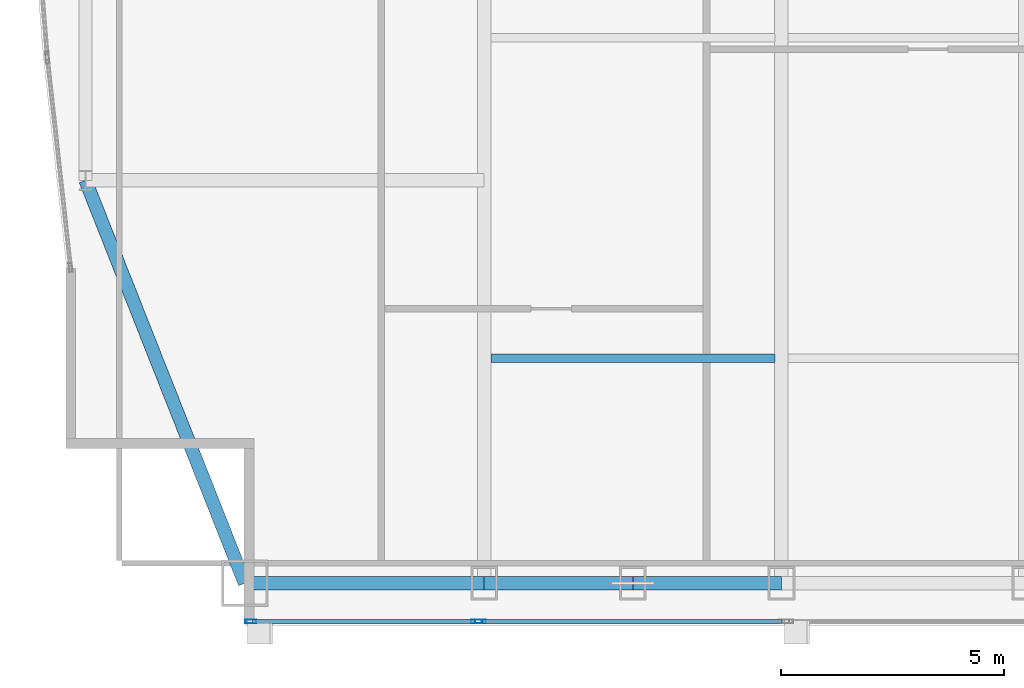
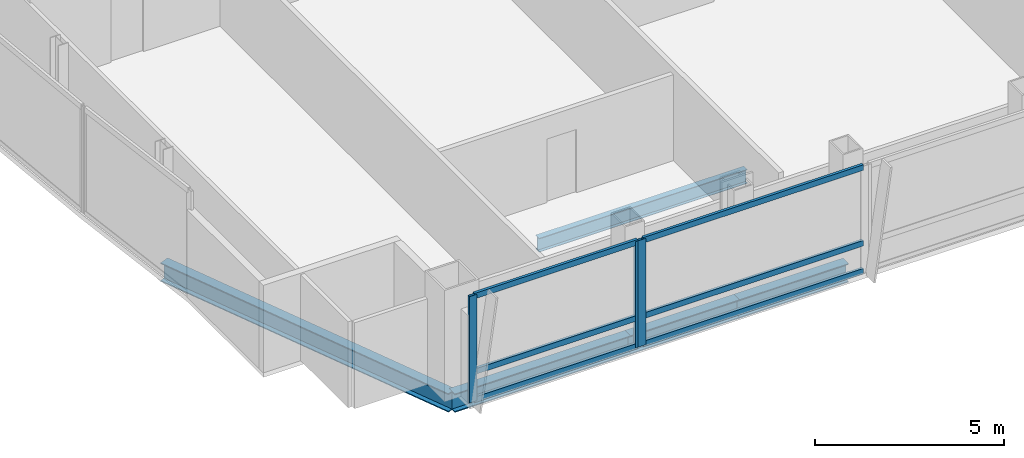
# One storey, part 5 of 29: 9 members, 5 beams, 2 elements without a shape of their own.
"""IFC4 building model written with IfcOpenShell, lengths in metres."""

from ifc_helpers import new_model, si_unit, direction, frame, origin, origin_2d, place, context, subcontext, project, spatial, hollow_rectangle, i_section, extrude, material, material_profile, profile_set, type_object, element, aggregate, save


model = new_model("IFC4")

# Units and contexts
model_context = context("Model", 3, precision=1e-05, world=origin(), true_north=direction((0.0, 1.0)))
body_context = subcontext(model_context, "Body", "Model", "MODEL_VIEW")
ifc_project = project(units=[si_unit("LENGTHUNIT", "METRE"), si_unit("AREAUNIT", "SQUARE_METRE"), si_unit("VOLUMEUNIT", "CUBIC_METRE"), si_unit("PLANEANGLEUNIT", "RADIAN"), si_unit("MASSUNIT", "GRAM", prefix="KILO")], contexts=[model_context])

# Site, building, storey
site_placement = place(None, origin())
site = spatial("IfcSite", under=ifc_project, at=site_placement, CompositionType="ELEMENT")
building_placement = place(site_placement, origin())
building = spatial("IfcBuilding", under=site, at=building_placement, Name="Khoronbel Lancet Exchange", CompositionType="ELEMENT")
storey_placement = place(building_placement, frame((0.0, 0.0, 246.199951171875)))
storey = spatial("IfcBuildingStorey", under=building, at=storey_placement, Name="L63", CompositionType="ELEMENT", Elevation=246.199951171875)

# Beams
ifc_material_1 = material(Name="Steel S355", Category="steel")
ifc_material_profile_1 = material_profile(ifc_material_1, i_section(OverallWidth=0.18994140625, OverallDepth=0.449951171875, WebThickness=0.009521484375, FlangeThickness=0.0146484375, at=origin_2d()), Name="IPE 450")
ifc_profile_set_1 = profile_set([ifc_material_profile_1], Name="Steel S355")
beam_type_1 = type_object("IfcBeamType", Name="BM-BJ4", PredefinedType="JOIST", material=ifc_profile_set_1)
beam_1_placement = place(storey_placement, frame((18.375, 15.199951171875, -0.385009765625), z_axis=(1.0, 0.0, 0.0), x_axis=(0.0, 1.0, 0.0)))
element("IfcBeam", 1, at=beam_1_placement, inside=storey, type_object=beam_type_1, Name="Level L63 secondary composite joist J01", PredefinedType="JOIST", context=body_context, shape_type="SweptSolid", body=[
    extrude(i_section(OverallWidth=0.18994140625, OverallDepth=0.449951171875, WebThickness=0.009521484375, FlangeThickness=0.0146484375, at=origin_2d()), origin(), (0.0, 0.0, 1.0), 6.375),
])
ifc_material_profile_2 = material_profile(ifc_material_1, i_section(OverallWidth=0.300048828125, OverallDepth=0.60009765625, WebThickness=0.015380859375, FlangeThickness=0.030029296875, at=origin_2d()), Name="HEB 600")
ifc_profile_set_2 = profile_set([ifc_material_profile_2], Name="Steel S355")
beam_type_2 = type_object("IfcBeamType", Name="BM-BSP2", PredefinedType="SPANDREL", material=ifc_profile_set_2)
beam_2_placement = place(storey_placement, frame((12.85009765625, 10.14990234375, -0.4599609375), z_axis=(1.0, 0.0, 0.0), x_axis=(0.0, 1.0, 0.0)))
element("IfcBeam", 2, at=beam_2_placement, inside=storey, type_object=beam_type_2, Name="Level L63 perimeter spandrel beam SP01", PredefinedType="SPANDREL", context=body_context, shape_type="SweptSolid", body=[
    extrude(i_section(OverallWidth=0.300048828125, OverallDepth=0.60009765625, WebThickness=0.015380859375, FlangeThickness=0.030029296875, at=origin_2d()), origin(), (0.0, 0.0, 1.0), 5.375),
])
for number, where, z_axis, x_axis, name in (
    (3, (18.22509765625, 10.14990234375, -0.4599609375), (1.0, 0.0, 0.0), (0.0, 1.0, 0.0), "Level L63 perimeter spandrel beam SP02"),
    (4, (21.5625, 10.14990234375, -0.4599609375), (1.0, 0.0, 0.0), (0.0, 1.0, 0.0), "Level L63 perimeter spandrel beam SP03"),
):
    element("IfcBeam", number, at=place(storey_placement, frame(where, z_axis=z_axis, x_axis=x_axis)), inside=storey, type_object=beam_type_2, Name=name, PredefinedType="SPANDREL", context=body_context, shape_type="SweptSolid", body=[
        extrude(i_section(OverallWidth=0.300048828125, OverallDepth=0.60009765625, WebThickness=0.015380859375, FlangeThickness=0.030029296875, at=origin_2d()), origin(), (0.0, 0.0, 1.0), 3.33740234375),
    ])
beam_3_placement = place(storey_placement, frame((9.27001953125, 19.199951171875, -0.4599609375), z_axis=(0.367850095026, -0.92988510451, 0.0), x_axis=(0.92988510451, 0.367850095026, 0.0)))
element("IfcBeam", 5, at=beam_3_placement, inside=storey, type_object=beam_type_2, Name="Level L63 perimeter spandrel beam SP21", PredefinedType="SPANDREL", context=body_context, shape_type="SweptSolid", body=[
    extrude(i_section(OverallWidth=0.300048828125, OverallDepth=0.60009765625, WebThickness=0.015380859375, FlangeThickness=0.030029296875, at=origin_2d()), origin(), (0.0, 0.0, 1.0), 9.732421875),
])

# Curtain wall, members
ifc_material_2 = material(Name="Low-E Solar Control Insulating Glass", Category="glass")
curtain_wall_type = type_object("IfcCurtainWallType", Name="CW-3", PredefinedType="NOTDEFINED", material=ifc_material_2)
curtain_wall_1_placement = place(storey_placement, origin())
curtain_wall_1 = element("IfcCurtainWall", 6, at=curtain_wall_1_placement, inside=storey, type_object=curtain_wall_type, Name="Unitised curtain wall CW-L63-SWV", PredefinedType="NOTDEFINED")
ifc_material_3 = material(Name="Bronze-Anodised Aluminium 6063-T6", Category="aluminium")
ifc_material_profile_3 = material_profile(ifc_material_3, hollow_rectangle(XDim=0.0849609375, YDim=0.239990234375, WallThickness=0.006103515625, at=origin_2d()), Name="ALU MULLION 85x240")
ifc_profile_set_3 = profile_set([ifc_material_profile_3], Name="Bronze-Anodised Aluminium 6063-T6")
member_type_1 = type_object("IfcMemberType", Name="MEM-CWM1", PredefinedType="MULLION", material=ifc_profile_set_3)
member_1_placement = place(storey_placement, frame((12.982421875, 9.2900390625, 0.0), z_axis=(0.0, 0.0, 1.0), x_axis=(0.0, 1.0, 0.0)))
member_1 = element("IfcMember", 7, at=member_1_placement, type_object=member_type_1, Name="CW3 mullion 1", PredefinedType="MULLION", context=body_context, shape_type="SweptSolid", body=[
    extrude(hollow_rectangle(XDim=0.0849609375, YDim=0.239990234375, WallThickness=0.006103515625, at=origin_2d()), origin(), (0.0, 0.0, 1.0), 3.43994140625),
])
member_2_placement = place(storey_placement, frame((18.0576171875, 9.2900390625, 0.0), z_axis=(0.0, 0.0, 1.0), x_axis=(0.0, 1.0, 0.0)))
member_2 = element("IfcMember", 8, at=member_2_placement, type_object=member_type_1, Name="CW3 mullion 2", PredefinedType="MULLION", context=body_context, shape_type="SweptSolid", body=[
    extrude(hollow_rectangle(XDim=0.0849609375, YDim=0.239990234375, WallThickness=0.006103515625, at=origin_2d()), origin(), (0.0, 0.0, 1.0), 3.43994140625),
])

# Curtain wall, member
curtain_wall_2_placement = place(storey_placement, origin())
curtain_wall_2 = element("IfcCurtainWall", 9, at=curtain_wall_2_placement, inside=storey, type_object=curtain_wall_type, Name="Unitised curtain wall CW-L63-SWB", PredefinedType="NOTDEFINED")
member_3_placement = place(storey_placement, frame((18.142578125, 9.2900390625, 0.0), z_axis=(0.0, 0.0, 1.0), x_axis=(0.0, 1.0, 0.0)))
member_3 = element("IfcMember", 10, at=member_3_placement, type_object=member_type_1, Name="CW3 mullion 1", PredefinedType="MULLION", context=body_context, shape_type="SweptSolid", body=[
    extrude(hollow_rectangle(XDim=0.0849609375, YDim=0.239990234375, WallThickness=0.006103515625, at=origin_2d()), origin(), (0.0, 0.0, 1.0), 3.43994140625),
])

# Member
ifc_material_profile_4 = material_profile(ifc_material_3, hollow_rectangle(XDim=0.0849609375, YDim=0.179931640625, WallThickness=0.0048828125, at=origin_2d()), Name="ALU TRANSOM 85x180")
ifc_profile_set_4 = profile_set([ifc_material_profile_4], Name="Bronze-Anodised Aluminium 6063-T6")
member_type_2 = type_object("IfcMemberType", Name="MEM-CWT1", PredefinedType="USERDEFINED", material=ifc_profile_set_4)
member_4_placement = place(storey_placement, frame((13.02490234375, 9.2900390625, 0.04248046875), z_axis=(1.0, 0.0, 0.0), x_axis=(0.0, 1.0, 0.0)))
member_4 = element("IfcMember", 11, at=member_4_placement, type_object=member_type_2, Name="CW3 transom 1.1", ObjectType="TRANSOM", PredefinedType="USERDEFINED", context=body_context, shape_type="SweptSolid", body=[
    extrude(hollow_rectangle(XDim=0.0849609375, YDim=0.179931640625, WallThickness=0.0048828125, at=origin_2d()), origin(), (0.0, 0.0, 1.0), 4.989990234375),
])

member_5_placement = place(storey_placement, frame((13.02490234375, 9.2900390625, 0.949951171875), z_axis=(1.0, 0.0, 0.0), x_axis=(0.0, 1.0, 0.0)))
member_5 = element("IfcMember", 12, at=member_5_placement, type_object=member_type_2, Name="CW3 transom 1.2", ObjectType="TRANSOM", PredefinedType="USERDEFINED", context=body_context, shape_type="SweptSolid", body=[
    extrude(hollow_rectangle(XDim=0.0849609375, YDim=0.179931640625, WallThickness=0.0048828125, at=origin_2d()), origin(), (0.0, 0.0, 1.0), 4.989990234375),
])

member_6_placement = place(storey_placement, frame((13.02490234375, 9.2900390625, 3.3974609375), z_axis=(1.0, 0.0, 0.0), x_axis=(0.0, 1.0, 0.0)))
member_6 = element("IfcMember", 13, at=member_6_placement, type_object=member_type_2, Name="CW3 transom 1.3", ObjectType="TRANSOM", PredefinedType="USERDEFINED", context=body_context, shape_type="SweptSolid", body=[
    extrude(hollow_rectangle(XDim=0.0849609375, YDim=0.179931640625, WallThickness=0.0048828125, at=origin_2d()), origin(), (0.0, 0.0, 1.0), 4.989990234375),
])

aggregate(curtain_wall_1, [member_1, member_2, member_4, member_5, member_6])

member_7_placement = place(storey_placement, frame((18.18505859375, 9.2900390625, 0.04248046875), z_axis=(1.0, 0.0, 0.0), x_axis=(0.0, 1.0, 0.0)))
member_7 = element("IfcMember", 14, at=member_7_placement, type_object=member_type_2, Name="CW3 transom 1.1", ObjectType="TRANSOM", PredefinedType="USERDEFINED", context=body_context, shape_type="SweptSolid", body=[
    extrude(hollow_rectangle(XDim=0.0849609375, YDim=0.179931640625, WallThickness=0.0048828125, at=origin_2d()), origin(), (0.0, 0.0, 1.0), 6.72998046875),
])

member_8_placement = place(storey_placement, frame((18.18505859375, 9.2900390625, 0.949951171875), z_axis=(1.0, 0.0, 0.0), x_axis=(0.0, 1.0, 0.0)))
member_8 = element("IfcMember", 15, at=member_8_placement, type_object=member_type_2, Name="CW3 transom 1.2", ObjectType="TRANSOM", PredefinedType="USERDEFINED", context=body_context, shape_type="SweptSolid", body=[
    extrude(hollow_rectangle(XDim=0.0849609375, YDim=0.179931640625, WallThickness=0.0048828125, at=origin_2d()), origin(), (0.0, 0.0, 1.0), 6.72998046875),
])

member_9_placement = place(storey_placement, frame((18.18505859375, 9.2900390625, 3.3974609375), z_axis=(1.0, 0.0, 0.0), x_axis=(0.0, 1.0, 0.0)))
member_9 = element("IfcMember", 16, at=member_9_placement, type_object=member_type_2, Name="CW3 transom 1.3", ObjectType="TRANSOM", PredefinedType="USERDEFINED", context=body_context, shape_type="SweptSolid", body=[
    extrude(hollow_rectangle(XDim=0.0849609375, YDim=0.179931640625, WallThickness=0.0048828125, at=origin_2d()), origin(), (0.0, 0.0, 1.0), 6.72998046875),
])

aggregate(curtain_wall_2, [member_3, member_7, member_8, member_9])

save(model, "model.ifc")
